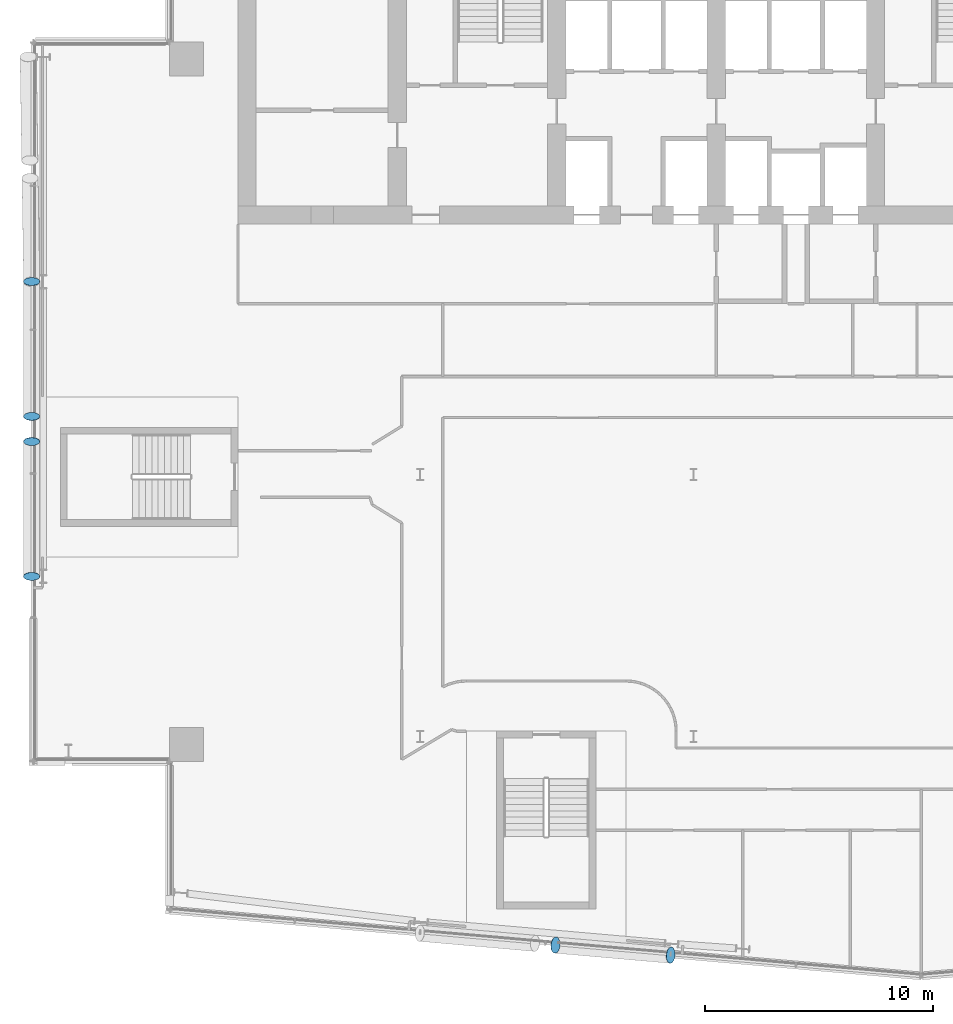
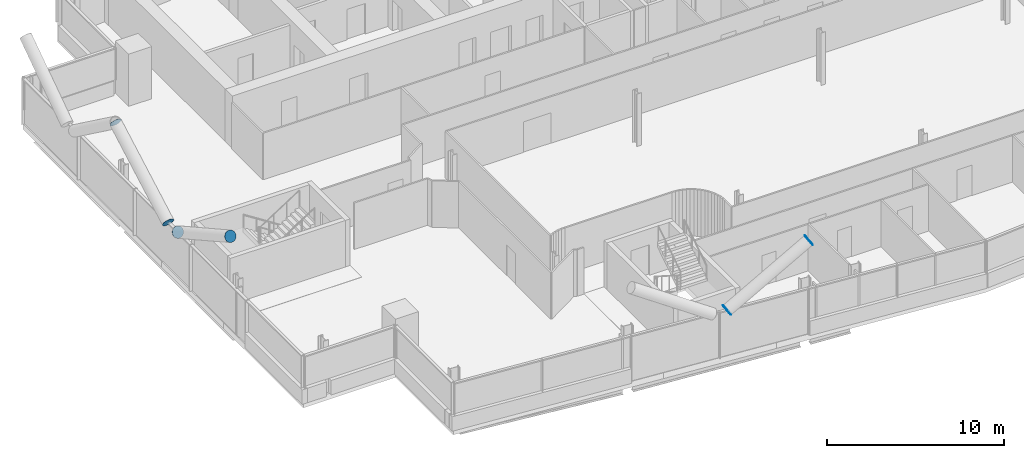
# One storey, part 21 of 27: 6 discrete accessories.
"""IFC4 building model written with IfcOpenShell, lengths in metres."""

from ifc_helpers import new_model, si_unit, direction, frame, origin, origin_2d, place, context, subcontext, project, spatial, circle, extrude, material, material_profile, profile_set, type_object, element, save


model = new_model("IFC4")

# Units and contexts
model_context = context("Model", 3, precision=1e-05, world=origin(), true_north=direction((0.0, 1.0)))
body_context = subcontext(model_context, "Body", "Model", "MODEL_VIEW")
ifc_project = project(units=[si_unit("LENGTHUNIT", "METRE"), si_unit("AREAUNIT", "SQUARE_METRE"), si_unit("VOLUMEUNIT", "CUBIC_METRE"), si_unit("PLANEANGLEUNIT", "RADIAN"), si_unit("MASSUNIT", "GRAM", prefix="KILO")], contexts=[model_context])

# Site, building, storey
site_placement = place(None, origin())
site = spatial("IfcSite", under=ifc_project, at=site_placement, CompositionType="ELEMENT")
building_placement = place(site_placement, origin())
building = spatial("IfcBuilding", under=site, at=building_placement, Name="Wharfspan Tower", CompositionType="ELEMENT")
storey_placement = place(building_placement, frame((0.0, 0.0, 159.100098)))
storey = spatial("IfcBuildingStorey", under=building, at=storey_placement, Name="L38", CompositionType="ELEMENT", Elevation=159.100098)

# Discrete accessories
ifc_material = material(Name="Steel S460NH", Category="steel")
ifc_material_profile = material_profile(ifc_material, circle(Radius=0.355469, at=origin_2d()))
ifc_profile_set = profile_set([ifc_material_profile], Name="Steel S460NH")
discrete_accessory_type = type_object("IfcDiscreteAccessoryType", Name="End plate CHS 711x36", PredefinedType="BRACKET", material=ifc_profile_set)
for number, where, z_axis, x_axis, name in (
    (1, (29.938721, 2.337891, 3.190186), (0.82608, -0.072889, 0.558819), (0.087894, 0.99613, -1e-06), "End plate CHS 711x36"),
    (2, (34.995117, 1.895508, 6.5), (0.844416, -0.072379, 0.530776), (0.085402, 0.99635, 0.0), "End plate CHS 711x36"),
    (3, (6.945068, 24.454346, 3.203613), (0.0, -0.874157, 0.485643), (1.0, 0.0, 0.0), "End plate CHS 711x36"),
    (4, (6.945068, 18.533447, 6.5), (0.0, -0.874157, 0.485643), (1.0, 0.0, 0.0), "End plate CHS 711x36"),
    (5, (6.945068, 25.545654, 3.203613), (0.0, 0.874157, 0.485643), (-1.0, 0.0, 0.0), "End plate CHS 711x36"),
    (6, (6.945068, 31.466553, 6.5), (0.0, 0.874157, 0.485643), (-1.0, 0.0, 0.0), "End plate CHS 711x36"),
):
    element("IfcDiscreteAccessory", number, at=place(storey_placement, frame(where, z_axis=z_axis, x_axis=x_axis)), inside=storey, type_object=discrete_accessory_type, Name=name, PredefinedType="BRACKET", context=body_context, shape_type="SweptSolid", body=[
        extrude(circle(Radius=0.355469, at=origin_2d()), origin(), (0.0, 0.0, 1.0), 0.01001),
    ])

save(model, "model.ifc")
